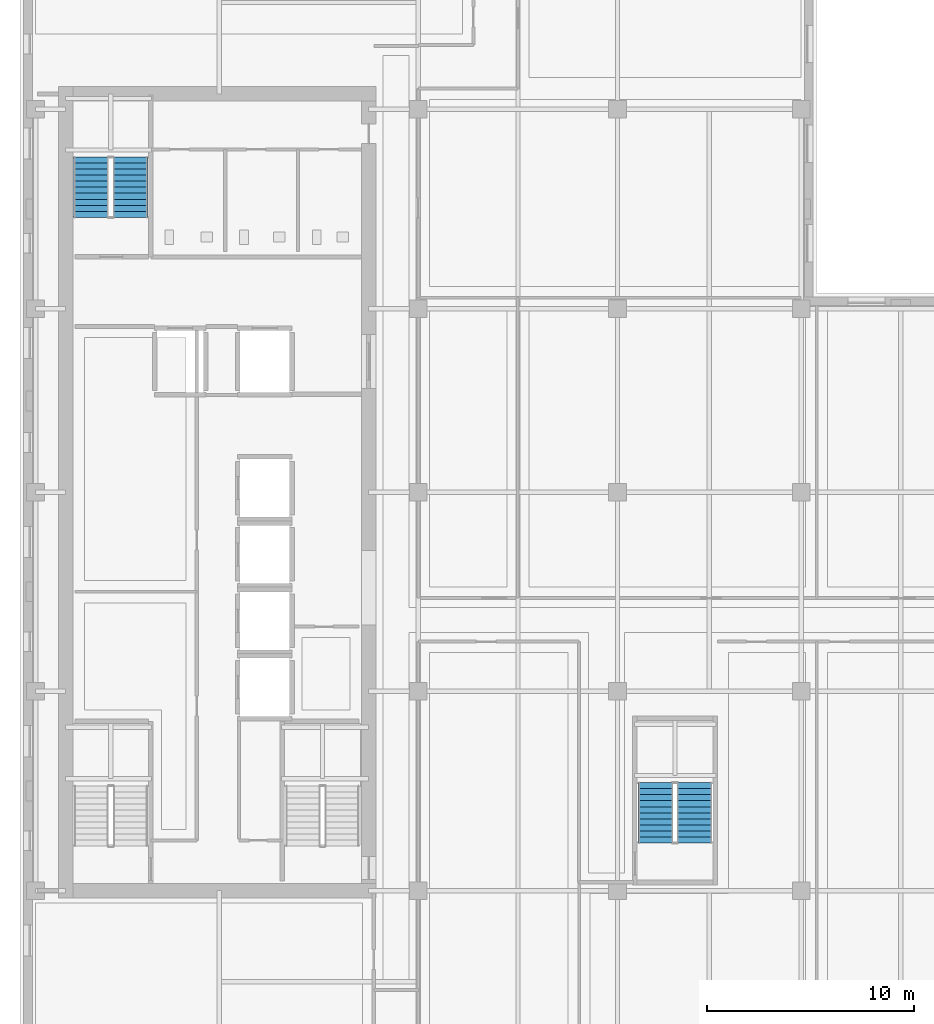
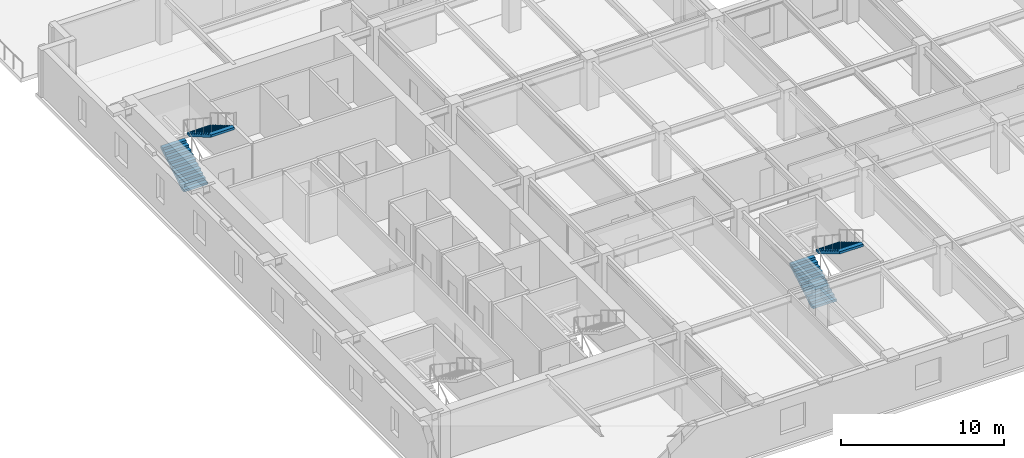
# One storey, part 7 of 12: 4 stair flights, 2 elements without a shape of their own.
"""IFC4 building model written with IfcOpenShell, lengths in metres."""

import ifcopenshell
import ifcopenshell.guid

model = None  # the IFC model being written
_history = None  # IfcOwnerHistory: only IFC2X3 demands one
_inside = {}  # id of a spatial element -> (the spatial element, [elements in it])
_under = {}  # id of a project, library or spatial element -> (it, [spatial elements below it])
_declared = {}  # id of a project -> (the project, [libraries it declares])
_typed = {}  # id of a type object -> (the type object, [elements of that type])
_made_of = {}  # id of a material, layer set ... -> (it, [elements and type objects made of it])


def new_model(schema):
    """Start an empty IFC model of exactly this schema.

    Asked for "IFC4X3", IfcOpenShell would pick the latest addendum, in which some entities
    have other attributes; the version numbers below select the first issue.
    IFC2X3 requires an IfcOwnerHistory on every rooted entity: one is made here for all.
    """
    global model, _history
    if schema == "IFC4X3":
        model = ifcopenshell.file(schema_version=(4, 3, 0, 0))
    else:
        model = ifcopenshell.file(schema=schema)
    _inside.clear()
    _under.clear()
    _declared.clear()
    _typed.clear()
    _made_of.clear()
    _history = None
    if model.schema == "IFC2X3":
        org = make("IfcOrganization", Name="unknown")
        user = make(
            "IfcPersonAndOrganization",
            ThePerson=make("IfcPerson", FamilyName="unknown"),
            TheOrganization=org,
        )
        app = make(
            "IfcApplication",
            ApplicationDeveloper=org,
            Version="unknown",
            ApplicationFullName="unknown",
            ApplicationIdentifier="unknown",
        )
        _history = make(
            "IfcOwnerHistory",
            OwningUser=user,
            OwningApplication=app,
            ChangeAction="ADDED",
            CreationDate=0,
        )
    return model


def make(cls, **values):
    """One entity of the class cls with the attributes given. An attribute that is None is left unset."""
    return model.create_entity(
        cls, **{name: value for name, value in values.items() if value is not None}
    )


def rooted(cls, **values):
    """An entity with a GlobalId (a new one), such as an element, a storey or a relation."""
    return make(cls, GlobalId=ifcopenshell.guid.new(), OwnerHistory=_history, **values)


def si_unit(unit_type, name, prefix=None):
    """IfcSIUnit, for example si_unit("LENGTHUNIT", "METRE", prefix="MILLI")."""
    return make("IfcSIUnit", UnitType=unit_type, Prefix=prefix, Name=name)


def assignment(units):
    """IfcUnitAssignment: the units of a project."""
    return None if units is None else make("IfcUnitAssignment", Units=units)


def point(xyz):
    """IfcCartesianPoint."""
    return None if xyz is None else make("IfcCartesianPoint", Coordinates=xyz)


def direction(xyz):
    """IfcDirection."""
    return None if xyz is None else make("IfcDirection", DirectionRatios=xyz)


def frame(location, z_axis=None, x_axis=None):
    """IfcAxis2Placement3D, a coordinate frame: its origin and axes. An axis left out is left unset."""
    return make(
        "IfcAxis2Placement3D",
        Location=point(location),
        Axis=direction(z_axis),
        RefDirection=direction(x_axis),
    )


def origin():
    """The frame at (0, 0, 0) with its axes left unset."""
    return frame((0.0, 0.0, 0.0))


def place(relative_to, where):
    """IfcLocalPlacement: puts the frame where relative to a parent placement (None: the world)."""
    return make(
        "IfcLocalPlacement", PlacementRelTo=relative_to, RelativePlacement=where
    )


def context(
    kind, dimensions, precision=None, world=None, true_north=None, identifier=None
):
    """IfcGeometricRepresentationContext, for example the 3D "Model" context."""
    return make(
        "IfcGeometricRepresentationContext",
        ContextIdentifier=identifier,
        ContextType=kind,
        CoordinateSpaceDimension=dimensions,
        Precision=precision,
        WorldCoordinateSystem=world,
        TrueNorth=true_north,
    )


def subcontext(parent, identifier, kind, view, scale=None):
    """IfcGeometricRepresentationSubContext, for example "Body" below "Model"."""
    return make(
        "IfcGeometricRepresentationSubContext",
        ContextIdentifier=identifier,
        ContextType=kind,
        ParentContext=parent,
        TargetScale=scale,
        TargetView=view,
    )


def project(units=None, contexts=None):
    """IfcProject with its units and contexts."""
    return rooted(
        "IfcProject",
        Name="project",
        RepresentationContexts=contexts,
        UnitsInContext=assignment(units),
    )


def spatial(cls, under=None, at=None, **own):
    """A site, building, storey or space (cls), placed at a placement, below another one or the project."""
    s = rooted(cls, ObjectPlacement=at, **own)
    if under is not None:
        _under.setdefault(under.id(), (under, []))[1].append(s)
    return s


def polyline(points):
    """IfcPolyline through the points."""
    return make("IfcPolyline", Points=[point(p) for p in points])


def outline(outer, holes=None, kind="AREA"):
    """IfcArbitraryClosedProfileDef: a profile drawn as a closed curve; with holes, ...WithVoids."""
    if holes is None:
        return make("IfcArbitraryClosedProfileDef", ProfileType=kind, OuterCurve=outer)
    return make(
        "IfcArbitraryProfileDefWithVoids",
        ProfileType=kind,
        OuterCurve=outer,
        InnerCurves=holes,
    )


def extrude(swept, where, along, depth):
    """IfcExtrudedAreaSolid: the profile swept, set in the frame where, extruded along a direction by depth."""
    return make(
        "IfcExtrudedAreaSolid",
        SweptArea=swept,
        Position=where,
        ExtrudedDirection=direction(along),
        Depth=depth,
    )


def shape(context_of_items, identifier, shape_type, items):
    """IfcShapeRepresentation: the items that make up one representation, for example the "Body"."""
    return make(
        "IfcShapeRepresentation",
        ContextOfItems=context_of_items,
        RepresentationIdentifier=identifier,
        RepresentationType=shape_type,
        Items=items,
    )


def material(Name=None, Category=None):
    """IfcMaterial."""
    return make("IfcMaterial", Name=Name, Category=Category)


def made_of(thing, what):
    """Note that an element or type object is made of a material, layer set ...; save() writes the relation."""
    if what is not None:
        _made_of.setdefault(what.id(), (what, []))[1].append(thing)
    return thing


def type_object(cls, material=None, **own):
    """A type object (cls), such as IfcWallType, which elements share."""
    return made_of(rooted(cls, **own), material)


def element(
    cls,
    number,
    at=None,
    inside=None,
    cuts=None,
    type_object=None,
    material=None,
    context=None,
    identifier="Body",
    shape_type=None,
    held_by="IfcProductDefinitionShape",
    body=None,
    shapes=None,
    **own,
):
    """One element of the class cls, such as IfcWall. Its Tag is "e" and its number.

    at: its placement. inside: the storey or other place that contains it. cuts: it is an
    opening in that element (IfcRelVoidsElement). A single representation is given by context,
    identifier, shape_type and body (its items); several are given by shapes. held_by: the class
    of the entity that holds the representations. save() writes the other relations.
    """
    e = rooted(cls, Tag="e%d" % number, ObjectPlacement=at, **own)
    if body is not None:
        shapes = [shape(context, identifier, shape_type, body)]
    if shapes is not None:
        e.Representation = make(held_by, Representations=shapes)
    if inside is not None:
        _inside.setdefault(inside.id(), (inside, []))[1].append(e)
    if cuts is not None:
        rooted(
            "IfcRelVoidsElement", RelatingBuildingElement=cuts, RelatedOpeningElement=e
        )
    if type_object is not None:
        _typed.setdefault(type_object.id(), (type_object, []))[1].append(e)
    return made_of(e, material)


def aggregate(whole, parts):
    """IfcRelAggregates: a whole, such as a stair, and the parts it consists of."""
    return rooted("IfcRelAggregates", RelatingObject=whole, RelatedObjects=parts)


def save(model, path):
    """Write the relations noted so far, then the file.

    IfcRelAggregates (storeys below a building ...), IfcRelContainedInSpatialStructure (elements
    in a storey), IfcRelDefinesByType, IfcRelAssociatesMaterial and IfcRelDeclares: one each for
    every whole, place, type object, material and project.
    """
    for whole, parts in _under.values():
        aggregate(whole, parts)
    for where, things in _inside.values():
        rooted(
            "IfcRelContainedInSpatialStructure",
            RelatedElements=things,
            RelatingStructure=where,
        )
    for kind, things in _typed.values():
        rooted("IfcRelDefinesByType", RelatedObjects=things, RelatingType=kind)
    for what, things in _made_of.values():
        rooted("IfcRelAssociatesMaterial", RelatedObjects=things, RelatingMaterial=what)
    for by, libraries in _declared.values():
        rooted("IfcRelDeclares", RelatingContext=by, RelatedDefinitions=libraries)
    model.write(path)


model = new_model("IFC4")

# Units and contexts
model_context = context("Model", 3, precision=1e-05, world=origin(), true_north=direction((0.0, 1.0)))
body_context = subcontext(model_context, "Body", "Model", "MODEL_VIEW")
ifc_project = project(units=[si_unit("LENGTHUNIT", "METRE"), si_unit("AREAUNIT", "SQUARE_METRE"), si_unit("VOLUMEUNIT", "CUBIC_METRE"), si_unit("PLANEANGLEUNIT", "RADIAN"), si_unit("MASSUNIT", "GRAM", prefix="KILO")], contexts=[model_context])

# Site, building, storey
site_placement = place(None, origin())
site = spatial("IfcSite", under=ifc_project, at=site_placement, CompositionType="ELEMENT")
building_placement = place(site_placement, origin())
building = spatial("IfcBuilding", under=site, at=building_placement, Name="Norrvale University Quadrangle", CompositionType="ELEMENT")
storey_placement = place(building_placement, frame((0.0, 0.0, 199.0)))
storey = spatial("IfcBuildingStorey", under=building, at=storey_placement, Name="L50", CompositionType="ELEMENT", Elevation=199.0)

# Stair, stair flights
ifc_material = material(Name="Concrete C40/50", Category="concrete")
stair_type = type_object("IfcStairType", Name="Stair Tower Typ 3800", PredefinedType="TWO_STRAIGHT_RUN_STAIR", material=ifc_material)
stair_1_placement = place(storey_placement, origin())
stair_1 = element("IfcStair", 1, at=stair_1_placement, inside=storey, type_object=stair_type, Name="Exit Stair ST-02 L50", PredefinedType="TWO_STRAIGHT_RUN_STAIR")
stair_flight_type = type_object("IfcStairFlightType", Name="Flight Typ 1500", PredefinedType="STRAIGHT", material=ifc_material)
stair_flight_1_placement = place(storey_placement, frame((3.429931640625, 42.050048828125, 0.0), z_axis=(0.0, 0.0, 1.0), x_axis=(0.0, 1.0, 0.0)))
stair_flight_1 = element("IfcStairFlight", 2, at=stair_flight_1_placement, type_object=stair_flight_type, Name="Exit Stair ST-02 L50 Lower Flight", NumberOfRisers=11, NumberOfTreads=10, PredefinedType="STRAIGHT", RiserHeight=0.172727, TreadLength=0.29, context=body_context, shape_type="SweptSolid", body=[
    extrude(outline(polyline([(0.0, 0.0), (0.0, 0.172607421875), (0.2900390625, 0.172607421875), (0.2900390625, 0.345458984375), (0.580078125, 0.345458984375), (0.580078125, 0.51806640625), (0.8701171875, 0.51806640625), (0.8701171875, 0.69091796875), (1.159912109375, 0.69091796875), (1.159912109375, 0.863525390625), (1.449951171875, 0.863525390625), (1.449951171875, 1.036376953125), (1.739990234375, 1.036376953125), (1.739990234375, 1.208984375), (2.030029296875, 1.208984375), (2.030029296875, 1.3818359375), (2.320068359375, 1.3818359375), (2.320068359375, 1.554443359375), (2.610107421875, 1.554443359375), (2.610107421875, 1.727294921875), (2.89990234375, 1.727294921875), (2.89990234375, 1.89990234375), (2.89990234375, 1.552734375), (0.29296875, 0.0), (0.0, 0.0)])), frame((0.0, 0.83984375, 0.0), z_axis=(0.0, -1.0, 0.0), x_axis=(1.0, 0.0, 0.0)), (0.0, 0.0, 1.0), 1.679931640625),
])
stair_flight_2_placement = place(storey_placement, frame((5.320068359375, 44.949951171875, 1.89990234375), z_axis=(0.0, 0.0, 1.0), x_axis=(0.0, -1.0, 0.0)))
stair_flight_2 = element("IfcStairFlight", 3, at=stair_flight_2_placement, type_object=stair_flight_type, Name="Exit Stair ST-02 L50 Upper Flight", NumberOfRisers=11, NumberOfTreads=10, PredefinedType="STRAIGHT", RiserHeight=0.172727, TreadLength=0.29, context=body_context, shape_type="SweptSolid", body=[
    extrude(outline(polyline([(0.0, 0.0), (0.0, 0.172607421875), (0.2900390625, 0.172607421875), (0.2900390625, 0.345458984375), (0.580078125, 0.345458984375), (0.580078125, 0.51806640625), (0.8701171875, 0.51806640625), (0.8701171875, 0.69091796875), (1.159912109375, 0.69091796875), (1.159912109375, 0.863525390625), (1.449951171875, 0.863525390625), (1.449951171875, 1.036376953125), (1.739990234375, 1.036376953125), (1.739990234375, 1.208984375), (2.030029296875, 1.208984375), (2.030029296875, 1.3818359375), (2.320068359375, 1.3818359375), (2.320068359375, 1.554443359375), (2.610107421875, 1.554443359375), (2.610107421875, 1.727294921875), (2.89990234375, 1.727294921875), (2.89990234375, 1.89990234375), (2.89990234375, 1.552734375), (0.29296875, 0.0), (0.0, 0.0)])), frame((0.0, 0.83984375, 0.0), z_axis=(0.0, -1.0, 0.0), x_axis=(1.0, 0.0, 0.0)), (0.0, 0.0, 1.0), 1.679931640625),
])
aggregate(stair_1, [stair_flight_1, stair_flight_2])

stair_2_placement = place(storey_placement, origin())
stair_2 = element("IfcStair", 4, at=stair_2_placement, inside=storey, type_object=stair_type, Name="Exit Stair ST-04 L50", PredefinedType="TWO_STRAIGHT_RUN_STAIR")
stair_flight_3_placement = place(storey_placement, frame((30.6298828125, 11.89990234375, 0.0), z_axis=(0.0, 0.0, 1.0), x_axis=(0.0, 1.0, 0.0)))
stair_flight_3 = element("IfcStairFlight", 5, at=stair_flight_3_placement, type_object=stair_flight_type, Name="Exit Stair ST-04 L50 Lower Flight", NumberOfRisers=11, NumberOfTreads=10, PredefinedType="STRAIGHT", RiserHeight=0.172727, TreadLength=0.29, context=body_context, shape_type="SweptSolid", body=[
    extrude(outline(polyline([(0.0, 0.0), (0.0, 0.172607421875), (0.2900390625, 0.172607421875), (0.2900390625, 0.345458984375), (0.580078125, 0.345458984375), (0.580078125, 0.51806640625), (0.8701171875, 0.51806640625), (0.8701171875, 0.69091796875), (1.159912109375, 0.69091796875), (1.159912109375, 0.863525390625), (1.449951171875, 0.863525390625), (1.449951171875, 1.036376953125), (1.739990234375, 1.036376953125), (1.739990234375, 1.208984375), (2.030029296875, 1.208984375), (2.030029296875, 1.3818359375), (2.320068359375, 1.3818359375), (2.320068359375, 1.554443359375), (2.610107421875, 1.554443359375), (2.610107421875, 1.727294921875), (2.89990234375, 1.727294921875), (2.89990234375, 1.89990234375), (2.89990234375, 1.552734375), (0.29296875, 0.0), (0.0, 0.0)])), frame((0.0, 0.83984375, 0.0), z_axis=(0.0, -1.0, 0.0), x_axis=(1.0, 0.0, 0.0)), (0.0, 0.0, 1.0), 1.679931640625),
])
stair_flight_4_placement = place(storey_placement, frame((32.52001953125, 14.800048828125, 1.89990234375), z_axis=(0.0, 0.0, 1.0), x_axis=(0.0, -1.0, 0.0)))
stair_flight_4 = element("IfcStairFlight", 6, at=stair_flight_4_placement, type_object=stair_flight_type, Name="Exit Stair ST-04 L50 Upper Flight", NumberOfRisers=11, NumberOfTreads=10, PredefinedType="STRAIGHT", RiserHeight=0.172727, TreadLength=0.29, context=body_context, shape_type="SweptSolid", body=[
    extrude(outline(polyline([(0.0, 0.0), (0.0, 0.172607421875), (0.2900390625, 0.172607421875), (0.2900390625, 0.345458984375), (0.580078125, 0.345458984375), (0.580078125, 0.51806640625), (0.8701171875, 0.51806640625), (0.8701171875, 0.69091796875), (1.159912109375, 0.69091796875), (1.159912109375, 0.863525390625), (1.449951171875, 0.863525390625), (1.449951171875, 1.036376953125), (1.739990234375, 1.036376953125), (1.739990234375, 1.208984375), (2.030029296875, 1.208984375), (2.030029296875, 1.3818359375), (2.320068359375, 1.3818359375), (2.320068359375, 1.554443359375), (2.610107421875, 1.554443359375), (2.610107421875, 1.727294921875), (2.89990234375, 1.727294921875), (2.89990234375, 1.89990234375), (2.89990234375, 1.552734375), (0.29296875, 0.0), (0.0, 0.0)])), frame((0.0, 0.83984375, 0.0), z_axis=(0.0, -1.0, 0.0), x_axis=(1.0, 0.0, 0.0)), (0.0, 0.0, 1.0), 1.679931640625),
])
aggregate(stair_2, [stair_flight_3, stair_flight_4])

save(model, "model.ifc")
